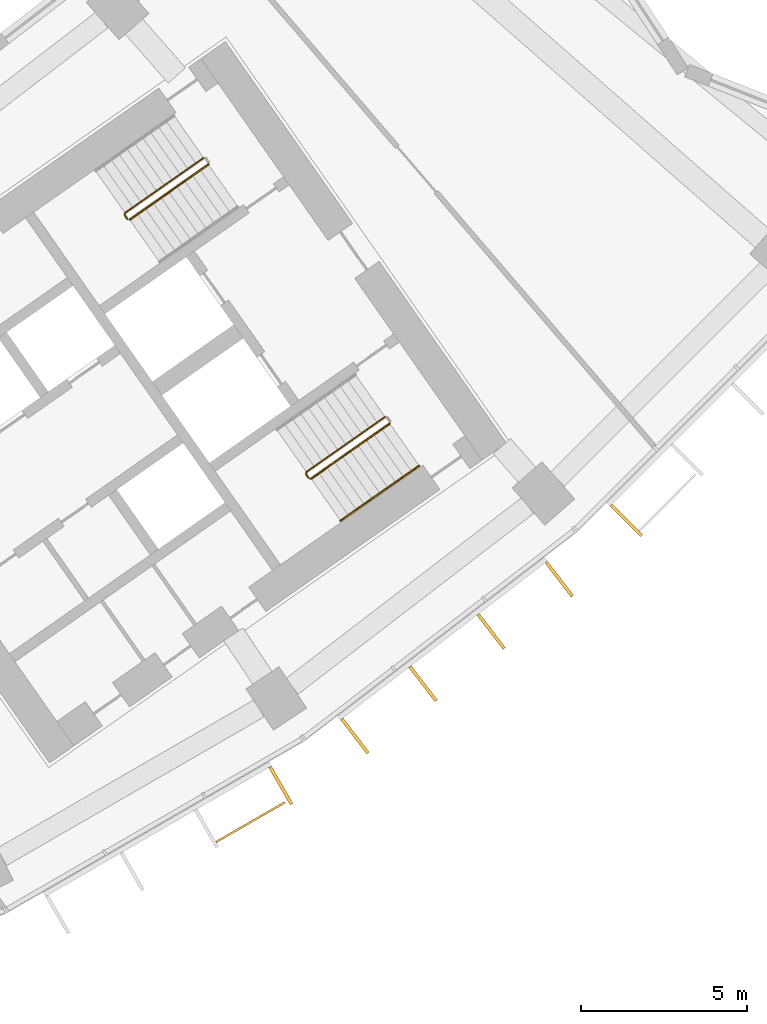
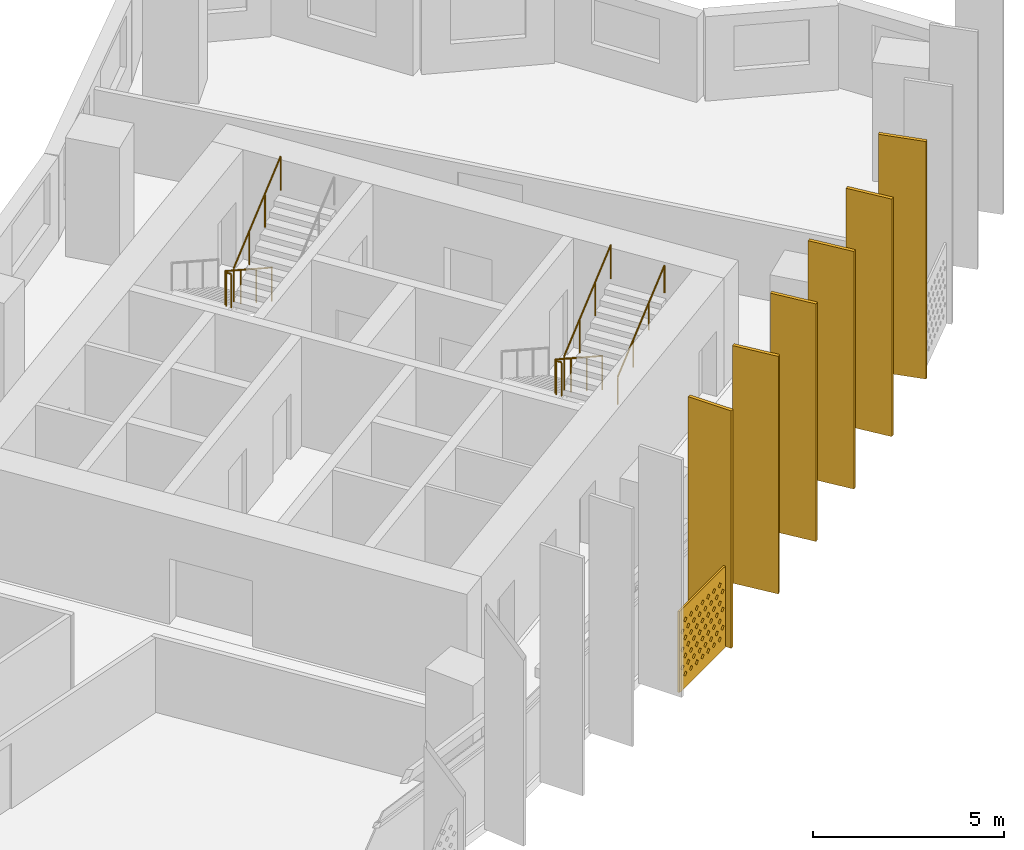
# One storey, part 29 of 30: 7 shading devices, 5 railings.
"""IFC4 building model written with IfcOpenShell, lengths in metres."""

from ifc_helpers import new_model, si_unit, direction, frame, origin, origin_2d, place, context, subcontext, project, spatial, polyline, rectangle, circle, outline, extrude, material, material_profile, profile_set, type_object, element, save


model = new_model("IFC4")

# Units and contexts
model_context = context("Model", 3, precision=1e-05, world=origin(), true_north=direction((0.0, 1.0)))
body_context = subcontext(model_context, "Body", "Model", "MODEL_VIEW")
ifc_project = project(units=[si_unit("LENGTHUNIT", "METRE"), si_unit("AREAUNIT", "SQUARE_METRE"), si_unit("VOLUMEUNIT", "CUBIC_METRE"), si_unit("PLANEANGLEUNIT", "RADIAN"), si_unit("MASSUNIT", "GRAM", prefix="KILO")], contexts=[model_context])

# Site, building, storey
site_placement = place(None, origin())
site = spatial("IfcSite", under=ifc_project, at=site_placement, CompositionType="ELEMENT")
building_placement = place(site_placement, origin())
building = spatial("IfcBuilding", under=site, at=building_placement, Name="Qamariyya Broadcast Tower", CompositionType="ELEMENT")
storey_placement = place(building_placement, frame((0.0, 0.0, 117.699951171875)))
storey = spatial("IfcBuildingStorey", under=building, at=storey_placement, Name="L26", CompositionType="ELEMENT", Elevation=117.699951171875)

# Shading device
ifc_material_1 = material(Name="Perforated glazed terracotta", Category="masonry")
ifc_material_profile_1 = material_profile(ifc_material_1, outline(polyline([(-1.199951171875, -1.300048828125), (1.199951171875, -1.300048828125), (1.199951171875, 1.300048828125), (-1.199951171875, 1.300048828125), (-1.199951171875, -1.300048828125)]), holes=[polyline([(-0.81494140625, -0.86669921875), (-0.89990234375, -0.78173828125), (-0.985107421875, -0.86669921875), (-0.89990234375, -0.95166015625), (-0.81494140625, -0.86669921875)]), polyline([(-0.514892578125, -0.86669921875), (-0.60009765625, -0.78173828125), (-0.68505859375, -0.86669921875), (-0.60009765625, -0.95166015625), (-0.514892578125, -0.86669921875)]), polyline([(-0.215087890625, -0.86669921875), (-0.300048828125, -0.78173828125), (-0.385009765625, -0.86669921875), (-0.300048828125, -0.95166015625), (-0.215087890625, -0.86669921875)]), polyline([(0.0849609375, -0.86669921875), (0.0, -0.78173828125), (-0.0849609375, -0.86669921875), (0.0, -0.95166015625), (0.0849609375, -0.86669921875)]), polyline([(0.385009765625, -0.86669921875), (0.300048828125, -0.78173828125), (0.215087890625, -0.86669921875), (0.300048828125, -0.95166015625), (0.385009765625, -0.86669921875)]), polyline([(0.68505859375, -0.86669921875), (0.60009765625, -0.78173828125), (0.514892578125, -0.86669921875), (0.60009765625, -0.95166015625), (0.68505859375, -0.86669921875)]), polyline([(0.985107421875, -0.86669921875), (0.89990234375, -0.78173828125), (0.81494140625, -0.86669921875), (0.89990234375, -0.95166015625), (0.985107421875, -0.86669921875)]), polyline([(-0.965087890625, -0.577880859375), (-1.050048828125, -0.49267578125), (-1.135009765625, -0.577880859375), (-1.050048828125, -0.662841796875), (-0.965087890625, -0.577880859375)]), polyline([(-0.6650390625, -0.577880859375), (-0.75, -0.49267578125), (-0.8349609375, -0.577880859375), (-0.75, -0.662841796875), (-0.6650390625, -0.577880859375)]), polyline([(-0.364990234375, -0.577880859375), (-0.449951171875, -0.49267578125), (-0.534912109375, -0.577880859375), (-0.449951171875, -0.662841796875), (-0.364990234375, -0.577880859375)]), polyline([(-0.06494140625, -0.577880859375), (-0.14990234375, -0.49267578125), (-0.235107421875, -0.577880859375), (-0.14990234375, -0.662841796875), (-0.06494140625, -0.577880859375)]), polyline([(0.235107421875, -0.577880859375), (0.14990234375, -0.49267578125), (0.06494140625, -0.577880859375), (0.14990234375, -0.662841796875), (0.235107421875, -0.577880859375)]), polyline([(0.534912109375, -0.577880859375), (0.449951171875, -0.49267578125), (0.364990234375, -0.577880859375), (0.449951171875, -0.662841796875), (0.534912109375, -0.577880859375)]), polyline([(0.8349609375, -0.577880859375), (0.75, -0.49267578125), (0.6650390625, -0.577880859375), (0.75, -0.662841796875), (0.8349609375, -0.577880859375)]), polyline([(1.135009765625, -0.577880859375), (1.050048828125, -0.49267578125), (0.965087890625, -0.577880859375), (1.050048828125, -0.662841796875), (1.135009765625, -0.577880859375)]), polyline([(-0.81494140625, -0.288818359375), (-0.89990234375, -0.203857421875), (-0.985107421875, -0.288818359375), (-0.89990234375, -0.373779296875), (-0.81494140625, -0.288818359375)]), polyline([(-0.514892578125, -0.288818359375), (-0.60009765625, -0.203857421875), (-0.68505859375, -0.288818359375), (-0.60009765625, -0.373779296875), (-0.514892578125, -0.288818359375)]), polyline([(-0.215087890625, -0.288818359375), (-0.300048828125, -0.203857421875), (-0.385009765625, -0.288818359375), (-0.300048828125, -0.373779296875), (-0.215087890625, -0.288818359375)]), polyline([(0.0849609375, -0.288818359375), (0.0, -0.203857421875), (-0.0849609375, -0.288818359375), (0.0, -0.373779296875), (0.0849609375, -0.288818359375)]), polyline([(0.385009765625, -0.288818359375), (0.300048828125, -0.203857421875), (0.215087890625, -0.288818359375), (0.300048828125, -0.373779296875), (0.385009765625, -0.288818359375)]), polyline([(0.68505859375, -0.288818359375), (0.60009765625, -0.203857421875), (0.514892578125, -0.288818359375), (0.60009765625, -0.373779296875), (0.68505859375, -0.288818359375)]), polyline([(0.985107421875, -0.288818359375), (0.89990234375, -0.203857421875), (0.81494140625, -0.288818359375), (0.89990234375, -0.373779296875), (0.985107421875, -0.288818359375)]), polyline([(-0.965087890625, 0.0), (-1.050048828125, 0.0849609375), (-1.135009765625, 0.0), (-1.050048828125, -0.0849609375), (-0.965087890625, 0.0)]), polyline([(-0.6650390625, 0.0), (-0.75, 0.0849609375), (-0.8349609375, 0.0), (-0.75, -0.0849609375), (-0.6650390625, 0.0)]), polyline([(-0.364990234375, 0.0), (-0.449951171875, 0.0849609375), (-0.534912109375, 0.0), (-0.449951171875, -0.0849609375), (-0.364990234375, 0.0)]), polyline([(-0.06494140625, 0.0), (-0.14990234375, 0.0849609375), (-0.235107421875, 0.0), (-0.14990234375, -0.0849609375), (-0.06494140625, 0.0)]), polyline([(0.235107421875, 0.0), (0.14990234375, 0.0849609375), (0.06494140625, 0.0), (0.14990234375, -0.0849609375), (0.235107421875, 0.0)]), polyline([(0.534912109375, 0.0), (0.449951171875, 0.0849609375), (0.364990234375, 0.0), (0.449951171875, -0.0849609375), (0.534912109375, 0.0)]), polyline([(0.8349609375, 0.0), (0.75, 0.0849609375), (0.6650390625, 0.0), (0.75, -0.0849609375), (0.8349609375, 0.0)]), polyline([(1.135009765625, 0.0), (1.050048828125, 0.0849609375), (0.965087890625, 0.0), (1.050048828125, -0.0849609375), (1.135009765625, 0.0)]), polyline([(-0.81494140625, 0.288818359375), (-0.89990234375, 0.373779296875), (-0.985107421875, 0.288818359375), (-0.89990234375, 0.203857421875), (-0.81494140625, 0.288818359375)]), polyline([(-0.514892578125, 0.288818359375), (-0.60009765625, 0.373779296875), (-0.68505859375, 0.288818359375), (-0.60009765625, 0.203857421875), (-0.514892578125, 0.288818359375)]), polyline([(-0.215087890625, 0.288818359375), (-0.300048828125, 0.373779296875), (-0.385009765625, 0.288818359375), (-0.300048828125, 0.203857421875), (-0.215087890625, 0.288818359375)]), polyline([(0.0849609375, 0.288818359375), (0.0, 0.373779296875), (-0.0849609375, 0.288818359375), (0.0, 0.203857421875), (0.0849609375, 0.288818359375)]), polyline([(0.385009765625, 0.288818359375), (0.300048828125, 0.373779296875), (0.215087890625, 0.288818359375), (0.300048828125, 0.203857421875), (0.385009765625, 0.288818359375)]), polyline([(0.68505859375, 0.288818359375), (0.60009765625, 0.373779296875), (0.514892578125, 0.288818359375), (0.60009765625, 0.203857421875), (0.68505859375, 0.288818359375)]), polyline([(0.985107421875, 0.288818359375), (0.89990234375, 0.373779296875), (0.81494140625, 0.288818359375), (0.89990234375, 0.203857421875), (0.985107421875, 0.288818359375)]), polyline([(-0.965087890625, 0.577880859375), (-1.050048828125, 0.662841796875), (-1.135009765625, 0.577880859375), (-1.050048828125, 0.49267578125), (-0.965087890625, 0.577880859375)]), polyline([(-0.6650390625, 0.577880859375), (-0.75, 0.662841796875), (-0.8349609375, 0.577880859375), (-0.75, 0.49267578125), (-0.6650390625, 0.577880859375)]), polyline([(-0.364990234375, 0.577880859375), (-0.449951171875, 0.662841796875), (-0.534912109375, 0.577880859375), (-0.449951171875, 0.49267578125), (-0.364990234375, 0.577880859375)]), polyline([(-0.06494140625, 0.577880859375), (-0.14990234375, 0.662841796875), (-0.235107421875, 0.577880859375), (-0.14990234375, 0.49267578125), (-0.06494140625, 0.577880859375)]), polyline([(0.235107421875, 0.577880859375), (0.14990234375, 0.662841796875), (0.06494140625, 0.577880859375), (0.14990234375, 0.49267578125), (0.235107421875, 0.577880859375)]), polyline([(0.534912109375, 0.577880859375), (0.449951171875, 0.662841796875), (0.364990234375, 0.577880859375), (0.449951171875, 0.49267578125), (0.534912109375, 0.577880859375)]), polyline([(0.8349609375, 0.577880859375), (0.75, 0.662841796875), (0.6650390625, 0.577880859375), (0.75, 0.49267578125), (0.8349609375, 0.577880859375)]), polyline([(1.135009765625, 0.577880859375), (1.050048828125, 0.662841796875), (0.965087890625, 0.577880859375), (1.050048828125, 0.49267578125), (1.135009765625, 0.577880859375)]), polyline([(-0.81494140625, 0.86669921875), (-0.89990234375, 0.95166015625), (-0.985107421875, 0.86669921875), (-0.89990234375, 0.78173828125), (-0.81494140625, 0.86669921875)]), polyline([(-0.514892578125, 0.86669921875), (-0.60009765625, 0.95166015625), (-0.68505859375, 0.86669921875), (-0.60009765625, 0.78173828125), (-0.514892578125, 0.86669921875)]), polyline([(-0.215087890625, 0.86669921875), (-0.300048828125, 0.95166015625), (-0.385009765625, 0.86669921875), (-0.300048828125, 0.78173828125), (-0.215087890625, 0.86669921875)]), polyline([(0.0849609375, 0.86669921875), (0.0, 0.95166015625), (-0.0849609375, 0.86669921875), (0.0, 0.78173828125), (0.0849609375, 0.86669921875)]), polyline([(0.385009765625, 0.86669921875), (0.300048828125, 0.95166015625), (0.215087890625, 0.86669921875), (0.300048828125, 0.78173828125), (0.385009765625, 0.86669921875)]), polyline([(0.68505859375, 0.86669921875), (0.60009765625, 0.95166015625), (0.514892578125, 0.86669921875), (0.60009765625, 0.78173828125), (0.68505859375, 0.86669921875)]), polyline([(0.985107421875, 0.86669921875), (0.89990234375, 0.95166015625), (0.81494140625, 0.86669921875), (0.89990234375, 0.78173828125), (0.985107421875, 0.86669921875)])]))
ifc_profile_set_1 = profile_set([ifc_material_profile_1], Name="Perforated glazed terracotta")
shading_device_type_1 = type_object("IfcShadingDeviceType", Name="Perforated terracotta screen 2400 x 2600", PredefinedType="USERDEFINED", material=ifc_profile_set_1)
shading_device_placement = place(storey_placement, frame((42.405517578125, -68.355224609375, 1.35009765625), z_axis=(0.500074377092, -0.865982457891, 0.0), x_axis=(0.865982457891, 0.500074377092, 0.0)))
element("IfcShadingDevice", 1, at=shading_device_placement, inside=storey, type_object=shading_device_type_1, Name="e-scr-L26-13-2", ObjectType="SCREEN", PredefinedType="USERDEFINED", context=body_context, shape_type="SweptSolid", body=[
    extrude(outline(polyline([(-1.199951171875, -1.300048828125), (1.199951171875, -1.300048828125), (1.199951171875, 1.300048828125), (-1.199951171875, 1.300048828125), (-1.199951171875, -1.300048828125)]), holes=[polyline([(-0.81494140625, -0.86669921875), (-0.89990234375, -0.78173828125), (-0.985107421875, -0.86669921875), (-0.89990234375, -0.95166015625), (-0.81494140625, -0.86669921875)]), polyline([(-0.514892578125, -0.86669921875), (-0.60009765625, -0.78173828125), (-0.68505859375, -0.86669921875), (-0.60009765625, -0.95166015625), (-0.514892578125, -0.86669921875)]), polyline([(-0.215087890625, -0.86669921875), (-0.300048828125, -0.78173828125), (-0.385009765625, -0.86669921875), (-0.300048828125, -0.95166015625), (-0.215087890625, -0.86669921875)]), polyline([(0.0849609375, -0.86669921875), (0.0, -0.78173828125), (-0.0849609375, -0.86669921875), (0.0, -0.95166015625), (0.0849609375, -0.86669921875)]), polyline([(0.385009765625, -0.86669921875), (0.300048828125, -0.78173828125), (0.215087890625, -0.86669921875), (0.300048828125, -0.95166015625), (0.385009765625, -0.86669921875)]), polyline([(0.68505859375, -0.86669921875), (0.60009765625, -0.78173828125), (0.514892578125, -0.86669921875), (0.60009765625, -0.95166015625), (0.68505859375, -0.86669921875)]), polyline([(0.985107421875, -0.86669921875), (0.89990234375, -0.78173828125), (0.81494140625, -0.86669921875), (0.89990234375, -0.95166015625), (0.985107421875, -0.86669921875)]), polyline([(-0.965087890625, -0.577880859375), (-1.050048828125, -0.49267578125), (-1.135009765625, -0.577880859375), (-1.050048828125, -0.662841796875), (-0.965087890625, -0.577880859375)]), polyline([(-0.6650390625, -0.577880859375), (-0.75, -0.49267578125), (-0.8349609375, -0.577880859375), (-0.75, -0.662841796875), (-0.6650390625, -0.577880859375)]), polyline([(-0.364990234375, -0.577880859375), (-0.449951171875, -0.49267578125), (-0.534912109375, -0.577880859375), (-0.449951171875, -0.662841796875), (-0.364990234375, -0.577880859375)]), polyline([(-0.06494140625, -0.577880859375), (-0.14990234375, -0.49267578125), (-0.235107421875, -0.577880859375), (-0.14990234375, -0.662841796875), (-0.06494140625, -0.577880859375)]), polyline([(0.235107421875, -0.577880859375), (0.14990234375, -0.49267578125), (0.06494140625, -0.577880859375), (0.14990234375, -0.662841796875), (0.235107421875, -0.577880859375)]), polyline([(0.534912109375, -0.577880859375), (0.449951171875, -0.49267578125), (0.364990234375, -0.577880859375), (0.449951171875, -0.662841796875), (0.534912109375, -0.577880859375)]), polyline([(0.8349609375, -0.577880859375), (0.75, -0.49267578125), (0.6650390625, -0.577880859375), (0.75, -0.662841796875), (0.8349609375, -0.577880859375)]), polyline([(1.135009765625, -0.577880859375), (1.050048828125, -0.49267578125), (0.965087890625, -0.577880859375), (1.050048828125, -0.662841796875), (1.135009765625, -0.577880859375)]), polyline([(-0.81494140625, -0.288818359375), (-0.89990234375, -0.203857421875), (-0.985107421875, -0.288818359375), (-0.89990234375, -0.373779296875), (-0.81494140625, -0.288818359375)]), polyline([(-0.514892578125, -0.288818359375), (-0.60009765625, -0.203857421875), (-0.68505859375, -0.288818359375), (-0.60009765625, -0.373779296875), (-0.514892578125, -0.288818359375)]), polyline([(-0.215087890625, -0.288818359375), (-0.300048828125, -0.203857421875), (-0.385009765625, -0.288818359375), (-0.300048828125, -0.373779296875), (-0.215087890625, -0.288818359375)]), polyline([(0.0849609375, -0.288818359375), (0.0, -0.203857421875), (-0.0849609375, -0.288818359375), (0.0, -0.373779296875), (0.0849609375, -0.288818359375)]), polyline([(0.385009765625, -0.288818359375), (0.300048828125, -0.203857421875), (0.215087890625, -0.288818359375), (0.300048828125, -0.373779296875), (0.385009765625, -0.288818359375)]), polyline([(0.68505859375, -0.288818359375), (0.60009765625, -0.203857421875), (0.514892578125, -0.288818359375), (0.60009765625, -0.373779296875), (0.68505859375, -0.288818359375)]), polyline([(0.985107421875, -0.288818359375), (0.89990234375, -0.203857421875), (0.81494140625, -0.288818359375), (0.89990234375, -0.373779296875), (0.985107421875, -0.288818359375)]), polyline([(-0.965087890625, 0.0), (-1.050048828125, 0.0849609375), (-1.135009765625, 0.0), (-1.050048828125, -0.0849609375), (-0.965087890625, 0.0)]), polyline([(-0.6650390625, 0.0), (-0.75, 0.0849609375), (-0.8349609375, 0.0), (-0.75, -0.0849609375), (-0.6650390625, 0.0)]), polyline([(-0.364990234375, 0.0), (-0.449951171875, 0.0849609375), (-0.534912109375, 0.0), (-0.449951171875, -0.0849609375), (-0.364990234375, 0.0)]), polyline([(-0.06494140625, 0.0), (-0.14990234375, 0.0849609375), (-0.235107421875, 0.0), (-0.14990234375, -0.0849609375), (-0.06494140625, 0.0)]), polyline([(0.235107421875, 0.0), (0.14990234375, 0.0849609375), (0.06494140625, 0.0), (0.14990234375, -0.0849609375), (0.235107421875, 0.0)]), polyline([(0.534912109375, 0.0), (0.449951171875, 0.0849609375), (0.364990234375, 0.0), (0.449951171875, -0.0849609375), (0.534912109375, 0.0)]), polyline([(0.8349609375, 0.0), (0.75, 0.0849609375), (0.6650390625, 0.0), (0.75, -0.0849609375), (0.8349609375, 0.0)]), polyline([(1.135009765625, 0.0), (1.050048828125, 0.0849609375), (0.965087890625, 0.0), (1.050048828125, -0.0849609375), (1.135009765625, 0.0)]), polyline([(-0.81494140625, 0.288818359375), (-0.89990234375, 0.373779296875), (-0.985107421875, 0.288818359375), (-0.89990234375, 0.203857421875), (-0.81494140625, 0.288818359375)]), polyline([(-0.514892578125, 0.288818359375), (-0.60009765625, 0.373779296875), (-0.68505859375, 0.288818359375), (-0.60009765625, 0.203857421875), (-0.514892578125, 0.288818359375)]), polyline([(-0.215087890625, 0.288818359375), (-0.300048828125, 0.373779296875), (-0.385009765625, 0.288818359375), (-0.300048828125, 0.203857421875), (-0.215087890625, 0.288818359375)]), polyline([(0.0849609375, 0.288818359375), (0.0, 0.373779296875), (-0.0849609375, 0.288818359375), (0.0, 0.203857421875), (0.0849609375, 0.288818359375)]), polyline([(0.385009765625, 0.288818359375), (0.300048828125, 0.373779296875), (0.215087890625, 0.288818359375), (0.300048828125, 0.203857421875), (0.385009765625, 0.288818359375)]), polyline([(0.68505859375, 0.288818359375), (0.60009765625, 0.373779296875), (0.514892578125, 0.288818359375), (0.60009765625, 0.203857421875), (0.68505859375, 0.288818359375)]), polyline([(0.985107421875, 0.288818359375), (0.89990234375, 0.373779296875), (0.81494140625, 0.288818359375), (0.89990234375, 0.203857421875), (0.985107421875, 0.288818359375)]), polyline([(-0.965087890625, 0.577880859375), (-1.050048828125, 0.662841796875), (-1.135009765625, 0.577880859375), (-1.050048828125, 0.49267578125), (-0.965087890625, 0.577880859375)]), polyline([(-0.6650390625, 0.577880859375), (-0.75, 0.662841796875), (-0.8349609375, 0.577880859375), (-0.75, 0.49267578125), (-0.6650390625, 0.577880859375)]), polyline([(-0.364990234375, 0.577880859375), (-0.449951171875, 0.662841796875), (-0.534912109375, 0.577880859375), (-0.449951171875, 0.49267578125), (-0.364990234375, 0.577880859375)]), polyline([(-0.06494140625, 0.577880859375), (-0.14990234375, 0.662841796875), (-0.235107421875, 0.577880859375), (-0.14990234375, 0.49267578125), (-0.06494140625, 0.577880859375)]), polyline([(0.235107421875, 0.577880859375), (0.14990234375, 0.662841796875), (0.06494140625, 0.577880859375), (0.14990234375, 0.49267578125), (0.235107421875, 0.577880859375)]), polyline([(0.534912109375, 0.577880859375), (0.449951171875, 0.662841796875), (0.364990234375, 0.577880859375), (0.449951171875, 0.49267578125), (0.534912109375, 0.577880859375)]), polyline([(0.8349609375, 0.577880859375), (0.75, 0.662841796875), (0.6650390625, 0.577880859375), (0.75, 0.49267578125), (0.8349609375, 0.577880859375)]), polyline([(1.135009765625, 0.577880859375), (1.050048828125, 0.662841796875), (0.965087890625, 0.577880859375), (1.050048828125, 0.49267578125), (1.135009765625, 0.577880859375)]), polyline([(-0.81494140625, 0.86669921875), (-0.89990234375, 0.95166015625), (-0.985107421875, 0.86669921875), (-0.89990234375, 0.78173828125), (-0.81494140625, 0.86669921875)]), polyline([(-0.514892578125, 0.86669921875), (-0.60009765625, 0.95166015625), (-0.68505859375, 0.86669921875), (-0.60009765625, 0.78173828125), (-0.514892578125, 0.86669921875)]), polyline([(-0.215087890625, 0.86669921875), (-0.300048828125, 0.95166015625), (-0.385009765625, 0.86669921875), (-0.300048828125, 0.78173828125), (-0.215087890625, 0.86669921875)]), polyline([(0.0849609375, 0.86669921875), (0.0, 0.95166015625), (-0.0849609375, 0.86669921875), (0.0, 0.78173828125), (0.0849609375, 0.86669921875)]), polyline([(0.385009765625, 0.86669921875), (0.300048828125, 0.95166015625), (0.215087890625, 0.86669921875), (0.300048828125, 0.78173828125), (0.385009765625, 0.86669921875)]), polyline([(0.68505859375, 0.86669921875), (0.60009765625, 0.95166015625), (0.514892578125, 0.86669921875), (0.60009765625, 0.78173828125), (0.68505859375, 0.86669921875)]), polyline([(0.985107421875, 0.86669921875), (0.89990234375, 0.95166015625), (0.81494140625, 0.86669921875), (0.89990234375, 0.78173828125), (0.985107421875, 0.86669921875)])]), origin(), (0.0, 0.0, 1.0), 0.06005859375),
])

# Railings
ifc_material_2 = material(Name="Painted steel", Category="steel")
railing_type_1 = type_object("IfcRailingType", Name="Stair guard", PredefinedType="GUARDRAIL", material=ifc_material_2)
railing_1_placement = place(storey_placement, frame((41.003173828125, -48.320068359375, 0.1728515625)))
element("IfcRailing", 2, at=railing_1_placement, inside=storey, type_object=railing_type_1, Name="L26 ST-E2 stair guard 1", PredefinedType="GUARDRAIL", context=body_context, shape_type="SweptSolid", body=[
    extrude(circle(Radius=0.02392578125, at=origin_2d()), frame((0.0, 0.0, 1.076171875), z_axis=(-0.703770094002, -0.492783725636, 0.511734163933), x_axis=(0.573575343427, -0.819152809562, 0.0)), (0.0, 0.0, 1.0), 3.37548828125),
    extrude(circle(Radius=0.02392578125, at=origin_2d()), frame((-2.37548828125, -1.663330078125, 2.80322265625), z_axis=(-0.172799478008, -0.984957024646, 0.0), x_axis=(0.984957024646, -0.172799478008, 0.0)), (0.0, 0.0, 1.0), 0.070556640625),
    extrude(circle(Radius=0.02392578125, at=origin_2d()), frame((-2.3876953125, -1.73291015625, 2.80322265625), z_axis=(0.572588637393, -0.819842821722, 0.0), x_axis=(0.819842821722, 0.572588637393, 0.0)), (0.0, 0.0, 1.0), 0.150146484375),
    extrude(circle(Radius=0.02099609375, at=origin_2d()), origin(), (0.0, 0.0, 1.0), 1.052001953125),
    extrude(circle(Radius=0.02099609375, at=origin_2d()), frame((-0.791748046875, -0.554443359375, 0.57568359375)), (0.0, 0.0, 1.0), 1.052001953125),
    extrude(circle(Radius=0.02099609375, at=origin_2d()), frame((-1.583740234375, -1.10888671875, 1.151611328125)), (0.0, 0.0, 1.0), 1.052001953125),
    extrude(circle(Radius=0.02099609375, at=origin_2d()), frame((-2.37548828125, -1.663330078125, 1.727294921875)), (0.0, 0.0, 1.0), 1.052001953125),
    extrude(circle(Radius=0.02099609375, at=origin_2d()), frame((-2.3876953125, -1.73291015625, 1.727294921875)), (0.0, 0.0, 1.0), 1.052001953125),
    extrude(circle(Radius=0.02099609375, at=origin_2d()), frame((-2.3017578125, -1.85595703125, 1.727294921875)), (0.0, 0.0, 1.0), 1.052001953125),
])
railing_2_placement = place(storey_placement, frame((38.771240234375, -50.188232421875, 2.07275390625)))
element("IfcRailing", 3, at=railing_2_placement, inside=storey, type_object=railing_type_1, Name="L26 ST-E2 stair guard 2", PredefinedType="GUARDRAIL", context=body_context, shape_type="SweptSolid", body=[
    extrude(circle(Radius=0.02392578125, at=origin_2d()), frame((0.0, 0.0, 1.076171875), z_axis=(0.703770094002, 0.492783725636, 0.511734163933), x_axis=(-0.573575343427, 0.819152809562, 0.0)), (0.0, 0.0, 1.0), 3.37548828125),
    extrude(circle(Radius=0.02099609375, at=origin_2d()), origin(), (0.0, 0.0, 1.0), 1.052001953125),
    extrude(circle(Radius=0.02099609375, at=origin_2d()), frame((0.791748046875, 0.554443359375, 0.57568359375)), (0.0, 0.0, 1.0), 1.052001953125),
    extrude(circle(Radius=0.02099609375, at=origin_2d()), frame((1.583740234375, 1.10888671875, 1.151611328125)), (0.0, 0.0, 1.0), 1.052001953125),
    extrude(circle(Radius=0.02099609375, at=origin_2d()), frame((2.37548828125, 1.663330078125, 1.727294921875)), (0.0, 0.0, 1.0), 1.052001953125),
])
railing_3_placement = place(storey_placement, frame((46.48095703125, -56.14306640625, 0.1728515625)))
element("IfcRailing", 4, at=railing_3_placement, inside=storey, type_object=railing_type_1, Name="L26 ST-E1 stair guard 1", PredefinedType="GUARDRAIL", context=body_context, shape_type="SweptSolid", body=[
    extrude(circle(Radius=0.02392578125, at=origin_2d()), frame((0.0, 0.0, 1.076171875), z_axis=(-0.703770094002, -0.492783725636, 0.511734163933), x_axis=(0.573575343427, -0.819152809562, 0.0)), (0.0, 0.0, 1.0), 3.37548828125),
    extrude(circle(Radius=0.02392578125, at=origin_2d()), frame((-2.37548828125, -1.663330078125, 2.80322265625), z_axis=(-0.176149252506, -0.984363469884, 0.0), x_axis=(0.984363469884, -0.176149252506, 0.0)), (0.0, 0.0, 1.0), 0.07080078125),
    extrude(circle(Radius=0.02392578125, at=origin_2d()), frame((-2.387939453125, -1.73291015625, 2.80322265625), z_axis=(0.574444878118, -0.818543268254, 0.0), x_axis=(0.818543268254, 0.574444878118, 0.0)), (0.0, 0.0, 1.0), 0.150146484375),
    extrude(circle(Radius=0.02099609375, at=origin_2d()), origin(), (0.0, 0.0, 1.0), 1.052001953125),
    extrude(circle(Radius=0.02099609375, at=origin_2d()), frame((-0.791748046875, -0.554443359375, 0.57568359375)), (0.0, 0.0, 1.0), 1.052001953125),
    extrude(circle(Radius=0.02099609375, at=origin_2d()), frame((-1.583740234375, -1.10888671875, 1.151611328125)), (0.0, 0.0, 1.0), 1.052001953125),
    extrude(circle(Radius=0.02099609375, at=origin_2d()), frame((-2.37548828125, -1.663330078125, 1.727294921875)), (0.0, 0.0, 1.0), 1.052001953125),
    extrude(circle(Radius=0.02099609375, at=origin_2d()), frame((-2.387939453125, -1.73291015625, 1.727294921875)), (0.0, 0.0, 1.0), 1.052001953125),
    extrude(circle(Radius=0.02099609375, at=origin_2d()), frame((-2.3017578125, -1.855712890625, 1.727294921875)), (0.0, 0.0, 1.0), 1.052001953125),
])
railing_4_placement = place(storey_placement, frame((44.248779296875, -58.01123046875, 2.07275390625)))
element("IfcRailing", 5, at=railing_4_placement, inside=storey, type_object=railing_type_1, Name="L26 ST-E1 stair guard 2", PredefinedType="GUARDRAIL", context=body_context, shape_type="SweptSolid", body=[
    extrude(circle(Radius=0.02392578125, at=origin_2d()), frame((0.0, 0.0, 1.076171875), z_axis=(0.703745009021, 0.492838488332, 0.511715923826), x_axis=(-0.573631830683, 0.819113253969, 0.0)), (0.0, 0.0, 1.0), 3.37548828125),
    extrude(circle(Radius=0.02099609375, at=origin_2d()), origin(), (0.0, 0.0, 1.0), 1.052001953125),
    extrude(circle(Radius=0.02099609375, at=origin_2d()), frame((0.791748046875, 0.554443359375, 0.57568359375)), (0.0, 0.0, 1.0), 1.052001953125),
    extrude(circle(Radius=0.02099609375, at=origin_2d()), frame((1.583740234375, 1.109130859375, 1.151611328125)), (0.0, 0.0, 1.0), 1.052001953125),
    extrude(circle(Radius=0.02099609375, at=origin_2d()), frame((2.37548828125, 1.66357421875, 1.727294921875)), (0.0, 0.0, 1.0), 1.052001953125),
])
ifc_material_3 = material(Name="Stainless steel", Category="steel")
railing_type_2 = type_object("IfcRailingType", Name="Stair handrail", PredefinedType="HANDRAIL", material=ifc_material_3)
railing_5_placement = place(storey_placement, frame((45.137939453125, -59.28076171875, 2.07275390625)))
element("IfcRailing", 6, at=railing_5_placement, inside=storey, type_object=railing_type_2, Name="L26 ST-E1 stair handrail 2", PredefinedType="HANDRAIL", context=body_context, shape_type="SweptSolid", body=[
    extrude(circle(Radius=0.02392578125, at=origin_2d()), frame((0.0, 0.0, 0.8759765625), z_axis=(0.703770094002, 0.492783725636, 0.511734163933), x_axis=(-0.573575343427, 0.819152809562, 0.0)), (0.0, 0.0, 1.0), 3.37548828125),
    extrude(circle(Radius=0.02099609375, at=origin_2d()), origin(), (0.0, 0.0, 1.0), 0.851806640625),
    extrude(circle(Radius=0.02099609375, at=origin_2d()), frame((0.791748046875, 0.554443359375, 0.57568359375)), (0.0, 0.0, 1.0), 0.851806640625),
    extrude(circle(Radius=0.02099609375, at=origin_2d()), frame((1.583740234375, 1.10888671875, 1.151611328125)), (0.0, 0.0, 1.0), 0.851806640625),
    extrude(circle(Radius=0.02099609375, at=origin_2d()), frame((2.37548828125, 1.663330078125, 1.727294921875)), (0.0, 0.0, 1.0), 0.851806640625),
])

# Shading devices
ifc_material_4 = material(Name="Glazed terracotta", Category="masonry")
ifc_material_profile_2 = material_profile(ifc_material_4, rectangle(XDim=1.300048828125, YDim=0.10009765625, at=origin_2d()))
ifc_profile_set_2 = profile_set([ifc_material_profile_2], Name="Glazed terracotta")
shading_device_type_2 = type_object("IfcShadingDeviceType", Name="Terracotta fin 100 x 1300", PredefinedType="USERDEFINED", material=ifc_profile_set_2)
for number, where, z_axis, x_axis, name in (
    (7, (43.333740234375, -67.276611328125, 0.0), (0.0, 0.0, 1.0), (0.5, -0.866025403784, 0.0), "e-fin-L26-13-3"),
    (8, (45.572509765625, -65.781005859375, 0.0), (0.0, 0.0, 1.0), (0.608761429009, -0.793353340291, 0.0), "e-fin-L26-14-0"),
    (9, (47.629638671875, -64.2021484375, 0.0), (0.0, 0.0, 1.0), (0.608761429009, -0.793353340291, 0.0), "e-fin-L26-14-1"),
    (10, (49.68701171875, -62.62353515625, 0.0), (0.0, 0.0, 1.0), (0.608761429009, -0.793353340291, 0.0), "e-fin-L26-14-2"),
    (11, (51.744384765625, -61.044921875, 0.0), (0.0, 0.0, 1.0), (0.608761429009, -0.793353340291, 0.0), "e-fin-L26-14-3"),
    (12, (53.7685546875, -59.269775390625, 0.0), (0.0, 0.0, 1.0), (0.707106781187, -0.707106781187, 0.0), "e-fin-L26-15-0"),
):
    element("IfcShadingDevice", number, at=place(storey_placement, frame(where, z_axis=z_axis, x_axis=x_axis)), inside=storey, type_object=shading_device_type_2, Name=name, ObjectType="FIN", PredefinedType="USERDEFINED", context=body_context, shape_type="SweptSolid", body=[
        extrude(rectangle(XDim=1.300048828125, YDim=0.10009765625, at=origin_2d()), origin(), (0.0, 0.0, 1.0), 7.60009765625),
    ])

save(model, "model.ifc")
